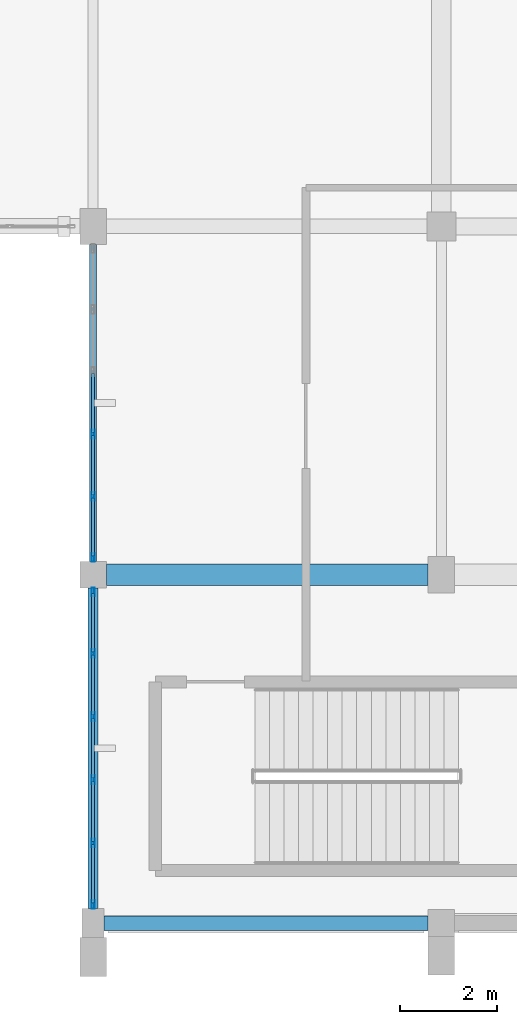
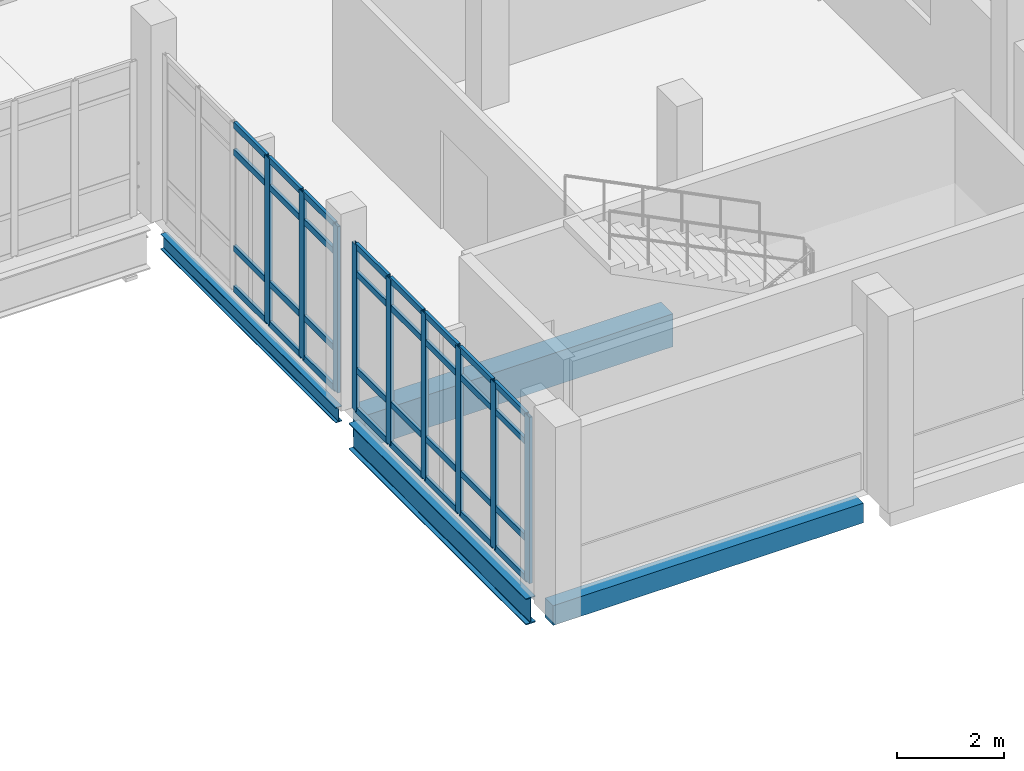
# One storey, part 43 of 124: 41 members, 4 beams, 2 elements without a shape of their own.
"""IFC4 building model written with IfcOpenShell, lengths in metres."""

import ifcopenshell
import ifcopenshell.guid

model = None  # the IFC model being written
_history = None  # IfcOwnerHistory: only IFC2X3 demands one
_inside = {}  # id of a spatial element -> (the spatial element, [elements in it])
_under = {}  # id of a project, library or spatial element -> (it, [spatial elements below it])
_declared = {}  # id of a project -> (the project, [libraries it declares])
_typed = {}  # id of a type object -> (the type object, [elements of that type])
_made_of = {}  # id of a material, layer set ... -> (it, [elements and type objects made of it])


def new_model(schema):
    """Start an empty IFC model of exactly this schema.

    Asked for "IFC4X3", IfcOpenShell would pick the latest addendum, in which some entities
    have other attributes; the version numbers below select the first issue.
    IFC2X3 requires an IfcOwnerHistory on every rooted entity: one is made here for all.
    """
    global model, _history
    if schema == "IFC4X3":
        model = ifcopenshell.file(schema_version=(4, 3, 0, 0))
    else:
        model = ifcopenshell.file(schema=schema)
    _inside.clear()
    _under.clear()
    _declared.clear()
    _typed.clear()
    _made_of.clear()
    _history = None
    if model.schema == "IFC2X3":
        org = make("IfcOrganization", Name="unknown")
        user = make(
            "IfcPersonAndOrganization",
            ThePerson=make("IfcPerson", FamilyName="unknown"),
            TheOrganization=org,
        )
        app = make(
            "IfcApplication",
            ApplicationDeveloper=org,
            Version="unknown",
            ApplicationFullName="unknown",
            ApplicationIdentifier="unknown",
        )
        _history = make(
            "IfcOwnerHistory",
            OwningUser=user,
            OwningApplication=app,
            ChangeAction="ADDED",
            CreationDate=0,
        )
    return model


def make(cls, **values):
    """One entity of the class cls with the attributes given. An attribute that is None is left unset."""
    return model.create_entity(
        cls, **{name: value for name, value in values.items() if value is not None}
    )


def rooted(cls, **values):
    """An entity with a GlobalId (a new one), such as an element, a storey or a relation."""
    return make(cls, GlobalId=ifcopenshell.guid.new(), OwnerHistory=_history, **values)


def si_unit(unit_type, name, prefix=None):
    """IfcSIUnit, for example si_unit("LENGTHUNIT", "METRE", prefix="MILLI")."""
    return make("IfcSIUnit", UnitType=unit_type, Prefix=prefix, Name=name)


def assignment(units):
    """IfcUnitAssignment: the units of a project."""
    return None if units is None else make("IfcUnitAssignment", Units=units)


def point(xyz):
    """IfcCartesianPoint."""
    return None if xyz is None else make("IfcCartesianPoint", Coordinates=xyz)


def direction(xyz):
    """IfcDirection."""
    return None if xyz is None else make("IfcDirection", DirectionRatios=xyz)


def frame(location, z_axis=None, x_axis=None):
    """IfcAxis2Placement3D, a coordinate frame: its origin and axes. An axis left out is left unset."""
    return make(
        "IfcAxis2Placement3D",
        Location=point(location),
        Axis=direction(z_axis),
        RefDirection=direction(x_axis),
    )


def frame_2d(location, x_axis=None):
    """IfcAxis2Placement2D, a coordinate frame in the plane: its origin and x axis."""
    return make(
        "IfcAxis2Placement2D", Location=point(location), RefDirection=direction(x_axis)
    )


def origin():
    """The frame at (0, 0, 0) with its axes left unset."""
    return frame((0.0, 0.0, 0.0))


def origin_2d():
    """The frame at (0, 0) in the plane with its x axis left unset."""
    return frame_2d((0.0, 0.0))


def place(relative_to, where):
    """IfcLocalPlacement: puts the frame where relative to a parent placement (None: the world)."""
    return make(
        "IfcLocalPlacement", PlacementRelTo=relative_to, RelativePlacement=where
    )


def context(
    kind, dimensions, precision=None, world=None, true_north=None, identifier=None
):
    """IfcGeometricRepresentationContext, for example the 3D "Model" context."""
    return make(
        "IfcGeometricRepresentationContext",
        ContextIdentifier=identifier,
        ContextType=kind,
        CoordinateSpaceDimension=dimensions,
        Precision=precision,
        WorldCoordinateSystem=world,
        TrueNorth=true_north,
    )


def subcontext(parent, identifier, kind, view, scale=None):
    """IfcGeometricRepresentationSubContext, for example "Body" below "Model"."""
    return make(
        "IfcGeometricRepresentationSubContext",
        ContextIdentifier=identifier,
        ContextType=kind,
        ParentContext=parent,
        TargetScale=scale,
        TargetView=view,
    )


def project(units=None, contexts=None):
    """IfcProject with its units and contexts."""
    return rooted(
        "IfcProject",
        Name="project",
        RepresentationContexts=contexts,
        UnitsInContext=assignment(units),
    )


def spatial(cls, under=None, at=None, **own):
    """A site, building, storey or space (cls), placed at a placement, below another one or the project."""
    s = rooted(cls, ObjectPlacement=at, **own)
    if under is not None:
        _under.setdefault(under.id(), (under, []))[1].append(s)
    return s


def profile(cls, at=None, kind="AREA", **sizes):
    """A parametric profile (cls). Its sizes go by their IFC names, for example OverallWidth=200.0."""
    return make(cls, ProfileType=kind, Position=at, **sizes)


def rectangle(**sizes):
    """IfcRectangleProfileDef."""
    return profile("IfcRectangleProfileDef", **sizes)


def hollow_rectangle(**sizes):
    """IfcRectangleHollowProfileDef."""
    return profile("IfcRectangleHollowProfileDef", **sizes)


def i_section(**sizes):
    """IfcIShapeProfileDef."""
    return profile("IfcIShapeProfileDef", **sizes)


def extrude(swept, where, along, depth):
    """IfcExtrudedAreaSolid: the profile swept, set in the frame where, extruded along a direction by depth."""
    return make(
        "IfcExtrudedAreaSolid",
        SweptArea=swept,
        Position=where,
        ExtrudedDirection=direction(along),
        Depth=depth,
    )


def shape(context_of_items, identifier, shape_type, items):
    """IfcShapeRepresentation: the items that make up one representation, for example the "Body"."""
    return make(
        "IfcShapeRepresentation",
        ContextOfItems=context_of_items,
        RepresentationIdentifier=identifier,
        RepresentationType=shape_type,
        Items=items,
    )


def material(Name=None, Category=None):
    """IfcMaterial."""
    return make("IfcMaterial", Name=Name, Category=Category)


def material_profile(
    of_material, cross_section, Name=None, Category=None, Priority=None
):
    """IfcMaterialProfile: a cross section and its material."""
    return make(
        "IfcMaterialProfile",
        Name=Name,
        Material=of_material,
        Profile=cross_section,
        Priority=Priority,
        Category=Category,
    )


def profile_set(profiles, Name=None, composite=None):
    """IfcMaterialProfileSet."""
    return make(
        "IfcMaterialProfileSet",
        Name=Name,
        MaterialProfiles=profiles,
        CompositeProfile=composite,
    )


def made_of(thing, what):
    """Note that an element or type object is made of a material, layer set ...; save() writes the relation."""
    if what is not None:
        _made_of.setdefault(what.id(), (what, []))[1].append(thing)
    return thing


def type_object(cls, material=None, **own):
    """A type object (cls), such as IfcWallType, which elements share."""
    return made_of(rooted(cls, **own), material)


def element(
    cls,
    number,
    at=None,
    inside=None,
    cuts=None,
    type_object=None,
    material=None,
    context=None,
    identifier="Body",
    shape_type=None,
    held_by="IfcProductDefinitionShape",
    body=None,
    shapes=None,
    **own,
):
    """One element of the class cls, such as IfcWall. Its Tag is "e" and its number.

    at: its placement. inside: the storey or other place that contains it. cuts: it is an
    opening in that element (IfcRelVoidsElement). A single representation is given by context,
    identifier, shape_type and body (its items); several are given by shapes. held_by: the class
    of the entity that holds the representations. save() writes the other relations.
    """
    e = rooted(cls, Tag="e%d" % number, ObjectPlacement=at, **own)
    if body is not None:
        shapes = [shape(context, identifier, shape_type, body)]
    if shapes is not None:
        e.Representation = make(held_by, Representations=shapes)
    if inside is not None:
        _inside.setdefault(inside.id(), (inside, []))[1].append(e)
    if cuts is not None:
        rooted(
            "IfcRelVoidsElement", RelatingBuildingElement=cuts, RelatedOpeningElement=e
        )
    if type_object is not None:
        _typed.setdefault(type_object.id(), (type_object, []))[1].append(e)
    return made_of(e, material)


def aggregate(whole, parts):
    """IfcRelAggregates: a whole, such as a stair, and the parts it consists of."""
    return rooted("IfcRelAggregates", RelatingObject=whole, RelatedObjects=parts)


def save(model, path):
    """Write the relations noted so far, then the file.

    IfcRelAggregates (storeys below a building ...), IfcRelContainedInSpatialStructure (elements
    in a storey), IfcRelDefinesByType, IfcRelAssociatesMaterial and IfcRelDeclares: one each for
    every whole, place, type object, material and project.
    """
    for whole, parts in _under.values():
        aggregate(whole, parts)
    for where, things in _inside.values():
        rooted(
            "IfcRelContainedInSpatialStructure",
            RelatedElements=things,
            RelatingStructure=where,
        )
    for kind, things in _typed.values():
        rooted("IfcRelDefinesByType", RelatedObjects=things, RelatingType=kind)
    for what, things in _made_of.values():
        rooted("IfcRelAssociatesMaterial", RelatedObjects=things, RelatingMaterial=what)
    for by, libraries in _declared.values():
        rooted("IfcRelDeclares", RelatingContext=by, RelatedDefinitions=libraries)
    model.write(path)


model = new_model("IFC4")

# Units and contexts
model_context = context("Model", 3, precision=1e-05, world=origin(), true_north=direction((0.0, 1.0)))
body_context = subcontext(model_context, "Body", "Model", "MODEL_VIEW")
ifc_project = project(units=[si_unit("LENGTHUNIT", "METRE"), si_unit("AREAUNIT", "SQUARE_METRE"), si_unit("VOLUMEUNIT", "CUBIC_METRE"), si_unit("PLANEANGLEUNIT", "RADIAN"), si_unit("MASSUNIT", "GRAM", prefix="KILO")], contexts=[model_context])

# Site, building, storey
site_placement = place(None, origin())
site = spatial("IfcSite", under=ifc_project, at=site_placement, CompositionType="ELEMENT")
building_placement = place(site_placement, origin())
building = spatial("IfcBuilding", under=site, at=building_placement, Name="Kalluvel Institute of Natural Sciences", CompositionType="ELEMENT")
storey_placement = place(building_placement, frame((0.0, 0.0, 9.89990234375)))
storey = spatial("IfcBuildingStorey", under=building, at=storey_placement, Name="L02", CompositionType="ELEMENT", Elevation=9.89990234375)

# Beams
ifc_material_1 = material(Name="Steel E350 Grade 350", Category="steel")
ifc_material_profile_1 = material_profile(ifc_material_1, i_section(OverallWidth=0.139892578125, OverallDepth=0.35009765625, WebThickness=0.008056640625, FlangeThickness=0.01416015625, FilletRadius=0.013916015625, at=origin_2d()), Name="ISMB 350")
ifc_profile_set_1 = profile_set([ifc_material_profile_1], Name="Steel E350 Grade 350")
beam_type_1 = type_object("IfcBeamType", Name="BM-ISMB350", PredefinedType="BEAM", material=ifc_profile_set_1)
beam_1_placement = place(storey_placement, frame((100.39990234375, 21.47509765625, -0.494873046875), z_axis=(0.0, 1.0, 0.0), x_axis=(-1.0, 0.0, 0.0)))
element("IfcBeam", 1, at=beam_1_placement, inside=storey, type_object=beam_type_1, Name="L02 girder GIR-L02-NS-X1004-Y212", PredefinedType="BEAM", context=body_context, shape_type="SweptSolid", body=[
    extrude(i_section(OverallWidth=0.139892578125, OverallDepth=0.35009765625, WebThickness=0.008056640625, FlangeThickness=0.01416015625, FilletRadius=0.013916015625, at=origin_2d()), origin(), (0.0, 0.0, 1.0), 6.5498046875),
])
ifc_material_profile_2 = material_profile(ifc_material_1, i_section(OverallWidth=0.2099609375, OverallDepth=0.60009765625, WebThickness=0.011962890625, FlangeThickness=0.020751953125, FilletRadius=0.02001953125, at=origin_2d()), Name="ISMB 600")
ifc_profile_set_2 = profile_set([ifc_material_profile_2], Name="Steel E350 Grade 350")
beam_type_2 = type_object("IfcBeamType", Name="BM-ISMB600", PredefinedType="BEAM", material=ifc_profile_set_2)
beam_2_placement = place(storey_placement, frame((100.39990234375, 14.300048828125, -0.619873046875), z_axis=(0.0, 1.0, 0.0), x_axis=(-1.0, 0.0, 0.0)))
element("IfcBeam", 2, at=beam_2_placement, inside=storey, type_object=beam_type_2, Name="L02 girder GIR-L02-NS-X1004-Y140", PredefinedType="BEAM", context=body_context, shape_type="SweptSolid", body=[
    extrude(i_section(OverallWidth=0.2099609375, OverallDepth=0.60009765625, WebThickness=0.011962890625, FlangeThickness=0.020751953125, FilletRadius=0.02001953125, at=origin_2d()), origin(), (0.0, 0.0, 1.0), 6.625),
])
ifc_material_2 = material(Name="Concrete M40", Category="concrete")
ifc_material_profile_3 = material_profile(ifc_material_2, rectangle(XDim=0.449951171875, YDim=0.75, at=origin_2d()), Name="RCB 450x750")
ifc_profile_set_3 = profile_set([ifc_material_profile_3], Name="Concrete M40")
beam_type_3 = type_object("IfcBeamType", Name="BM-RC450x750", PredefinedType="BEAM", material=ifc_profile_set_3)
beam_3_placement = place(storey_placement, frame((100.675048828125, 21.199951171875, -0.69482421875), z_axis=(1.0, 0.0, 0.0), x_axis=(0.0, 1.0, 0.0)))
element("IfcBeam", 3, at=beam_3_placement, inside=storey, type_object=beam_type_3, Name="L02 girder GIR-L02-EW-X1004-Y212", PredefinedType="BEAM", context=body_context, shape_type="SweptSolid", body=[
    extrude(rectangle(XDim=0.449951171875, YDim=0.75, at=origin_2d()), origin(), (0.0, 0.0, 1.0), 6.64990234375),
])

# Curtain wall, members
ifc_material_3 = material(Name="Aluminium AW-6063 T6", Category="aluminium")
curtain_wall_type = type_object("IfcCurtainWallType", Name="CW-SPAV-45", PredefinedType="USERDEFINED", material=ifc_material_3)
curtain_wall_1_placement = place(storey_placement, origin())
curtain_wall_1 = element("IfcCurtainWall", 4, at=curtain_wall_1_placement, inside=storey, type_object=curtain_wall_type, Name="L02 Gothic lancet curtain wall CWA-L02-X1004-Y144", ObjectType="UNITISED LANCET FACADE", PredefinedType="USERDEFINED")
ifc_material_profile_4 = material_profile(ifc_material_3, hollow_rectangle(XDim=0.06494140625, YDim=0.179931640625, WallThickness=0.00439453125, at=origin_2d()), Name="CWM 65x180")
ifc_profile_set_4 = profile_set([ifc_material_profile_4], Name="Aluminium AW-6063 T6")
member_type_1 = type_object("IfcMemberType", Name="CWM-65x180", PredefinedType="MULLION", material=ifc_profile_set_4)
member_1_placement = place(storey_placement, frame((100.39990234375, 14.382568359375, 0.0), z_axis=(0.0, 0.0, 1.0), x_axis=(-1.0, 0.0, 0.0)))
member_1 = element("IfcMember", 5, at=member_1_placement, type_object=member_type_1, Name="CW-10 mullion 1", PredefinedType="MULLION", context=body_context, shape_type="SweptSolid", body=[
    extrude(hollow_rectangle(XDim=0.06494140625, YDim=0.179931640625, WallThickness=0.00439453125, at=origin_2d()), origin(), (0.0, 0.0, 1.0), 3.800048828125),
])
member_2_placement = place(storey_placement, frame((100.39990234375, 15.655029296875, 0.0), z_axis=(0.0, 0.0, 1.0), x_axis=(-1.0, 0.0, 0.0)))
member_2 = element("IfcMember", 6, at=member_2_placement, type_object=member_type_1, Name="CW-10 mullion 2", PredefinedType="MULLION", context=body_context, shape_type="SweptSolid", body=[
    extrude(hollow_rectangle(XDim=0.06494140625, YDim=0.179931640625, WallThickness=0.00439453125, at=origin_2d()), origin(), (0.0, 0.0, 1.0), 3.800048828125),
])
member_3_placement = place(storey_placement, frame((100.39990234375, 16.9599609375, 0.0), z_axis=(0.0, 0.0, 1.0), x_axis=(-1.0, 0.0, 0.0)))
member_3 = element("IfcMember", 7, at=member_3_placement, type_object=member_type_1, Name="CW-10 mullion 3", PredefinedType="MULLION", context=body_context, shape_type="SweptSolid", body=[
    extrude(hollow_rectangle(XDim=0.06494140625, YDim=0.179931640625, WallThickness=0.00439453125, at=origin_2d()), origin(), (0.0, 0.0, 1.0), 3.800048828125),
])
member_4_placement = place(storey_placement, frame((100.39990234375, 18.264892578125, 0.0), z_axis=(0.0, 0.0, 1.0), x_axis=(-1.0, 0.0, 0.0)))
member_4 = element("IfcMember", 8, at=member_4_placement, type_object=member_type_1, Name="CW-10 mullion 4", PredefinedType="MULLION", context=body_context, shape_type="SweptSolid", body=[
    extrude(hollow_rectangle(XDim=0.06494140625, YDim=0.179931640625, WallThickness=0.00439453125, at=origin_2d()), origin(), (0.0, 0.0, 1.0), 3.800048828125),
])
member_5_placement = place(storey_placement, frame((100.39990234375, 19.570068359375, 0.0), z_axis=(0.0, 0.0, 1.0), x_axis=(-1.0, 0.0, 0.0)))
member_5 = element("IfcMember", 9, at=member_5_placement, type_object=member_type_1, Name="CW-10 mullion 5", PredefinedType="MULLION", context=body_context, shape_type="SweptSolid", body=[
    extrude(hollow_rectangle(XDim=0.06494140625, YDim=0.179931640625, WallThickness=0.00439453125, at=origin_2d()), origin(), (0.0, 0.0, 1.0), 3.800048828125),
])
member_6_placement = place(storey_placement, frame((100.39990234375, 20.842529296875, 0.0), z_axis=(0.0, 0.0, 1.0), x_axis=(-1.0, 0.0, 0.0)))
member_6 = element("IfcMember", 10, at=member_6_placement, type_object=member_type_1, Name="CW-10 mullion 6", PredefinedType="MULLION", context=body_context, shape_type="SweptSolid", body=[
    extrude(hollow_rectangle(XDim=0.06494140625, YDim=0.179931640625, WallThickness=0.00439453125, at=origin_2d()), origin(), (0.0, 0.0, 1.0), 3.800048828125),
])

curtain_wall_2_placement = place(storey_placement, origin())
curtain_wall_2 = element("IfcCurtainWall", 11, at=curtain_wall_2_placement, inside=storey, type_object=curtain_wall_type, Name="L02 Gothic lancet curtain wall CWA-L02-X1004-Y215", ObjectType="UNITISED LANCET FACADE", PredefinedType="USERDEFINED")
member_7_placement = place(storey_placement, frame((100.39990234375, 21.5576171875, 0.0), z_axis=(0.0, 0.0, 1.0), x_axis=(-1.0, 0.0, 0.0)))
member_7 = element("IfcMember", 12, at=member_7_placement, type_object=member_type_1, Name="CW-10 mullion 1", PredefinedType="MULLION", context=body_context, shape_type="SweptSolid", body=[
    extrude(hollow_rectangle(XDim=0.06494140625, YDim=0.179931640625, WallThickness=0.00439453125, at=origin_2d()), origin(), (0.0, 0.0, 1.0), 3.800048828125),
])
member_8_placement = place(storey_placement, frame((100.39990234375, 22.81494140625, 0.0), z_axis=(0.0, 0.0, 1.0), x_axis=(-1.0, 0.0, 0.0)))
member_8 = element("IfcMember", 13, at=member_8_placement, type_object=member_type_1, Name="CW-10 mullion 2", PredefinedType="MULLION", context=body_context, shape_type="SweptSolid", body=[
    extrude(hollow_rectangle(XDim=0.06494140625, YDim=0.179931640625, WallThickness=0.00439453125, at=origin_2d()), origin(), (0.0, 0.0, 1.0), 3.800048828125),
])
member_9_placement = place(storey_placement, frame((100.39990234375, 24.10498046875, 0.0), z_axis=(0.0, 0.0, 1.0), x_axis=(-1.0, 0.0, 0.0)))
member_9 = element("IfcMember", 14, at=member_9_placement, type_object=member_type_1, Name="CW-10 mullion 3", PredefinedType="MULLION", context=body_context, shape_type="SweptSolid", body=[
    extrude(hollow_rectangle(XDim=0.06494140625, YDim=0.179931640625, WallThickness=0.00439453125, at=origin_2d()), origin(), (0.0, 0.0, 1.0), 3.800048828125),
])

# Member
ifc_material_profile_5 = material_profile(ifc_material_3, hollow_rectangle(XDim=0.06494140625, YDim=0.139892578125, WallThickness=0.00439453125, at=origin_2d()), Name="CWT 65x140")
ifc_profile_set_5 = profile_set([ifc_material_profile_5], Name="Aluminium AW-6063 T6")
member_type_2 = type_object("IfcMemberType", Name="CWT-65x140", PredefinedType="USERDEFINED", material=ifc_profile_set_5)
member_10_placement = place(storey_placement, frame((100.39990234375, 14.4150390625, 0.03271484375), z_axis=(0.0, 1.0, 0.0), x_axis=(-1.0, 0.0, 0.0)))
member_10 = element("IfcMember", 15, at=member_10_placement, type_object=member_type_2, Name="CW-10 transom 1.1", ObjectType="TRANSOM", PredefinedType="USERDEFINED", context=body_context, shape_type="SweptSolid", body=[
    extrude(hollow_rectangle(XDim=0.06494140625, YDim=0.139892578125, WallThickness=0.00439453125, at=origin_2d()), origin(), (0.0, 0.0, 1.0), 1.20751953125),
])

member_11_placement = place(storey_placement, frame((100.39990234375, 14.4150390625, 0.9501953125), z_axis=(0.0, 1.0, 0.0), x_axis=(-1.0, 0.0, 0.0)))
member_11 = element("IfcMember", 16, at=member_11_placement, type_object=member_type_2, Name="CW-10 transom 1.2", ObjectType="TRANSOM", PredefinedType="USERDEFINED", context=body_context, shape_type="SweptSolid", body=[
    extrude(hollow_rectangle(XDim=0.06494140625, YDim=0.139892578125, WallThickness=0.00439453125, at=origin_2d()), origin(), (0.0, 0.0, 1.0), 1.20751953125),
])

member_12_placement = place(storey_placement, frame((100.39990234375, 14.4150390625, 3.150146484375), z_axis=(0.0, 1.0, 0.0), x_axis=(-1.0, 0.0, 0.0)))
member_12 = element("IfcMember", 17, at=member_12_placement, type_object=member_type_2, Name="CW-10 transom 1.3", ObjectType="TRANSOM", PredefinedType="USERDEFINED", context=body_context, shape_type="SweptSolid", body=[
    extrude(hollow_rectangle(XDim=0.06494140625, YDim=0.139892578125, WallThickness=0.00439453125, at=origin_2d()), origin(), (0.0, 0.0, 1.0), 1.20751953125),
])

member_13_placement = place(storey_placement, frame((100.39990234375, 14.4150390625, 3.767578125), z_axis=(0.0, 1.0, 0.0), x_axis=(-1.0, 0.0, 0.0)))
member_13 = element("IfcMember", 18, at=member_13_placement, type_object=member_type_2, Name="CW-10 transom 1.4", ObjectType="TRANSOM", PredefinedType="USERDEFINED", context=body_context, shape_type="SweptSolid", body=[
    extrude(hollow_rectangle(XDim=0.06494140625, YDim=0.139892578125, WallThickness=0.00439453125, at=origin_2d()), origin(), (0.0, 0.0, 1.0), 1.20751953125),
])

member_14_placement = place(storey_placement, frame((100.39990234375, 15.6875, 0.03271484375), z_axis=(0.0, 1.0, 0.0), x_axis=(-1.0, 0.0, 0.0)))
member_14 = element("IfcMember", 19, at=member_14_placement, type_object=member_type_2, Name="CW-10 transom 2.1", ObjectType="TRANSOM", PredefinedType="USERDEFINED", context=body_context, shape_type="SweptSolid", body=[
    extrude(hollow_rectangle(XDim=0.06494140625, YDim=0.139892578125, WallThickness=0.00439453125, at=origin_2d()), origin(), (0.0, 0.0, 1.0), 1.239990234375),
])

member_15_placement = place(storey_placement, frame((100.39990234375, 15.6875, 0.9501953125), z_axis=(0.0, 1.0, 0.0), x_axis=(-1.0, 0.0, 0.0)))
member_15 = element("IfcMember", 20, at=member_15_placement, type_object=member_type_2, Name="CW-10 transom 2.2", ObjectType="TRANSOM", PredefinedType="USERDEFINED", context=body_context, shape_type="SweptSolid", body=[
    extrude(hollow_rectangle(XDim=0.06494140625, YDim=0.139892578125, WallThickness=0.00439453125, at=origin_2d()), origin(), (0.0, 0.0, 1.0), 1.239990234375),
])

member_16_placement = place(storey_placement, frame((100.39990234375, 15.6875, 3.150146484375), z_axis=(0.0, 1.0, 0.0), x_axis=(-1.0, 0.0, 0.0)))
member_16 = element("IfcMember", 21, at=member_16_placement, type_object=member_type_2, Name="CW-10 transom 2.3", ObjectType="TRANSOM", PredefinedType="USERDEFINED", context=body_context, shape_type="SweptSolid", body=[
    extrude(hollow_rectangle(XDim=0.06494140625, YDim=0.139892578125, WallThickness=0.00439453125, at=origin_2d()), origin(), (0.0, 0.0, 1.0), 1.239990234375),
])

member_17_placement = place(storey_placement, frame((100.39990234375, 15.6875, 3.767578125), z_axis=(0.0, 1.0, 0.0), x_axis=(-1.0, 0.0, 0.0)))
member_17 = element("IfcMember", 22, at=member_17_placement, type_object=member_type_2, Name="CW-10 transom 2.4", ObjectType="TRANSOM", PredefinedType="USERDEFINED", context=body_context, shape_type="SweptSolid", body=[
    extrude(hollow_rectangle(XDim=0.06494140625, YDim=0.139892578125, WallThickness=0.00439453125, at=origin_2d()), origin(), (0.0, 0.0, 1.0), 1.239990234375),
])

member_18_placement = place(storey_placement, frame((100.39990234375, 16.992431640625, 0.03271484375), z_axis=(0.0, 1.0, 0.0), x_axis=(-1.0, 0.0, 0.0)))
member_18 = element("IfcMember", 23, at=member_18_placement, type_object=member_type_2, Name="CW-10 transom 3.1", ObjectType="TRANSOM", PredefinedType="USERDEFINED", context=body_context, shape_type="SweptSolid", body=[
    extrude(hollow_rectangle(XDim=0.06494140625, YDim=0.139892578125, WallThickness=0.00439453125, at=origin_2d()), origin(), (0.0, 0.0, 1.0), 1.239990234375),
])

member_19_placement = place(storey_placement, frame((100.39990234375, 16.992431640625, 0.9501953125), z_axis=(0.0, 1.0, 0.0), x_axis=(-1.0, 0.0, 0.0)))
member_19 = element("IfcMember", 24, at=member_19_placement, type_object=member_type_2, Name="CW-10 transom 3.2", ObjectType="TRANSOM", PredefinedType="USERDEFINED", context=body_context, shape_type="SweptSolid", body=[
    extrude(hollow_rectangle(XDim=0.06494140625, YDim=0.139892578125, WallThickness=0.00439453125, at=origin_2d()), origin(), (0.0, 0.0, 1.0), 1.239990234375),
])

member_20_placement = place(storey_placement, frame((100.39990234375, 16.992431640625, 3.150146484375), z_axis=(0.0, 1.0, 0.0), x_axis=(-1.0, 0.0, 0.0)))
member_20 = element("IfcMember", 25, at=member_20_placement, type_object=member_type_2, Name="CW-10 transom 3.3", ObjectType="TRANSOM", PredefinedType="USERDEFINED", context=body_context, shape_type="SweptSolid", body=[
    extrude(hollow_rectangle(XDim=0.06494140625, YDim=0.139892578125, WallThickness=0.00439453125, at=origin_2d()), origin(), (0.0, 0.0, 1.0), 1.239990234375),
])

member_21_placement = place(storey_placement, frame((100.39990234375, 16.992431640625, 3.767578125), z_axis=(0.0, 1.0, 0.0), x_axis=(-1.0, 0.0, 0.0)))
member_21 = element("IfcMember", 26, at=member_21_placement, type_object=member_type_2, Name="CW-10 transom 3.4", ObjectType="TRANSOM", PredefinedType="USERDEFINED", context=body_context, shape_type="SweptSolid", body=[
    extrude(hollow_rectangle(XDim=0.06494140625, YDim=0.139892578125, WallThickness=0.00439453125, at=origin_2d()), origin(), (0.0, 0.0, 1.0), 1.239990234375),
])

member_22_placement = place(storey_placement, frame((100.39990234375, 18.297607421875, 0.03271484375), z_axis=(0.0, 1.0, 0.0), x_axis=(-1.0, 0.0, 0.0)))
member_22 = element("IfcMember", 27, at=member_22_placement, type_object=member_type_2, Name="CW-10 transom 4.1", ObjectType="TRANSOM", PredefinedType="USERDEFINED", context=body_context, shape_type="SweptSolid", body=[
    extrude(hollow_rectangle(XDim=0.06494140625, YDim=0.139892578125, WallThickness=0.00439453125, at=origin_2d()), origin(), (0.0, 0.0, 1.0), 1.239990234375),
])

member_23_placement = place(storey_placement, frame((100.39990234375, 18.297607421875, 0.9501953125), z_axis=(0.0, 1.0, 0.0), x_axis=(-1.0, 0.0, 0.0)))
member_23 = element("IfcMember", 28, at=member_23_placement, type_object=member_type_2, Name="CW-10 transom 4.2", ObjectType="TRANSOM", PredefinedType="USERDEFINED", context=body_context, shape_type="SweptSolid", body=[
    extrude(hollow_rectangle(XDim=0.06494140625, YDim=0.139892578125, WallThickness=0.00439453125, at=origin_2d()), origin(), (0.0, 0.0, 1.0), 1.239990234375),
])

member_24_placement = place(storey_placement, frame((100.39990234375, 18.297607421875, 3.150146484375), z_axis=(0.0, 1.0, 0.0), x_axis=(-1.0, 0.0, 0.0)))
member_24 = element("IfcMember", 29, at=member_24_placement, type_object=member_type_2, Name="CW-10 transom 4.3", ObjectType="TRANSOM", PredefinedType="USERDEFINED", context=body_context, shape_type="SweptSolid", body=[
    extrude(hollow_rectangle(XDim=0.06494140625, YDim=0.139892578125, WallThickness=0.00439453125, at=origin_2d()), origin(), (0.0, 0.0, 1.0), 1.239990234375),
])

member_25_placement = place(storey_placement, frame((100.39990234375, 18.297607421875, 3.767578125), z_axis=(0.0, 1.0, 0.0), x_axis=(-1.0, 0.0, 0.0)))
member_25 = element("IfcMember", 30, at=member_25_placement, type_object=member_type_2, Name="CW-10 transom 4.4", ObjectType="TRANSOM", PredefinedType="USERDEFINED", context=body_context, shape_type="SweptSolid", body=[
    extrude(hollow_rectangle(XDim=0.06494140625, YDim=0.139892578125, WallThickness=0.00439453125, at=origin_2d()), origin(), (0.0, 0.0, 1.0), 1.239990234375),
])

member_26_placement = place(storey_placement, frame((100.39990234375, 19.6025390625, 0.03271484375), z_axis=(0.0, 1.0, 0.0), x_axis=(-1.0, 0.0, 0.0)))
member_26 = element("IfcMember", 31, at=member_26_placement, type_object=member_type_2, Name="CW-10 transom 5.1", ObjectType="TRANSOM", PredefinedType="USERDEFINED", context=body_context, shape_type="SweptSolid", body=[
    extrude(hollow_rectangle(XDim=0.06494140625, YDim=0.139892578125, WallThickness=0.00439453125, at=origin_2d()), origin(), (0.0, 0.0, 1.0), 1.20751953125),
])

member_27_placement = place(storey_placement, frame((100.39990234375, 19.6025390625, 0.9501953125), z_axis=(0.0, 1.0, 0.0), x_axis=(-1.0, 0.0, 0.0)))
member_27 = element("IfcMember", 32, at=member_27_placement, type_object=member_type_2, Name="CW-10 transom 5.2", ObjectType="TRANSOM", PredefinedType="USERDEFINED", context=body_context, shape_type="SweptSolid", body=[
    extrude(hollow_rectangle(XDim=0.06494140625, YDim=0.139892578125, WallThickness=0.00439453125, at=origin_2d()), origin(), (0.0, 0.0, 1.0), 1.20751953125),
])

member_28_placement = place(storey_placement, frame((100.39990234375, 19.6025390625, 3.150146484375), z_axis=(0.0, 1.0, 0.0), x_axis=(-1.0, 0.0, 0.0)))
member_28 = element("IfcMember", 33, at=member_28_placement, type_object=member_type_2, Name="CW-10 transom 5.3", ObjectType="TRANSOM", PredefinedType="USERDEFINED", context=body_context, shape_type="SweptSolid", body=[
    extrude(hollow_rectangle(XDim=0.06494140625, YDim=0.139892578125, WallThickness=0.00439453125, at=origin_2d()), origin(), (0.0, 0.0, 1.0), 1.20751953125),
])

member_29_placement = place(storey_placement, frame((100.39990234375, 19.6025390625, 3.767578125), z_axis=(0.0, 1.0, 0.0), x_axis=(-1.0, 0.0, 0.0)))
member_29 = element("IfcMember", 34, at=member_29_placement, type_object=member_type_2, Name="CW-10 transom 5.4", ObjectType="TRANSOM", PredefinedType="USERDEFINED", context=body_context, shape_type="SweptSolid", body=[
    extrude(hollow_rectangle(XDim=0.06494140625, YDim=0.139892578125, WallThickness=0.00439453125, at=origin_2d()), origin(), (0.0, 0.0, 1.0), 1.20751953125),
])

aggregate(curtain_wall_1, [member_1, member_2, member_3, member_4, member_5, member_6, member_10, member_11, member_12, member_13, member_14, member_15, member_16, member_17, member_18, member_19, member_20, member_21, member_22, member_23, member_24, member_25, member_26, member_27, member_28, member_29])

member_30_placement = place(storey_placement, frame((100.39990234375, 21.590087890625, 0.03271484375), z_axis=(0.0, 1.0, 0.0), x_axis=(-1.0, 0.0, 0.0)))
member_30 = element("IfcMember", 35, at=member_30_placement, type_object=member_type_2, Name="CW-10 transom 1.1", ObjectType="TRANSOM", PredefinedType="USERDEFINED", context=body_context, shape_type="SweptSolid", body=[
    extrude(hollow_rectangle(XDim=0.06494140625, YDim=0.139892578125, WallThickness=0.00439453125, at=origin_2d()), origin(), (0.0, 0.0, 1.0), 1.1923828125),
])

member_31_placement = place(storey_placement, frame((100.39990234375, 21.590087890625, 0.9501953125), z_axis=(0.0, 1.0, 0.0), x_axis=(-1.0, 0.0, 0.0)))
member_31 = element("IfcMember", 36, at=member_31_placement, type_object=member_type_2, Name="CW-10 transom 1.2", ObjectType="TRANSOM", PredefinedType="USERDEFINED", context=body_context, shape_type="SweptSolid", body=[
    extrude(hollow_rectangle(XDim=0.06494140625, YDim=0.139892578125, WallThickness=0.00439453125, at=origin_2d()), origin(), (0.0, 0.0, 1.0), 1.1923828125),
])

member_32_placement = place(storey_placement, frame((100.39990234375, 21.590087890625, 3.150146484375), z_axis=(0.0, 1.0, 0.0), x_axis=(-1.0, 0.0, 0.0)))
member_32 = element("IfcMember", 37, at=member_32_placement, type_object=member_type_2, Name="CW-10 transom 1.3", ObjectType="TRANSOM", PredefinedType="USERDEFINED", context=body_context, shape_type="SweptSolid", body=[
    extrude(hollow_rectangle(XDim=0.06494140625, YDim=0.139892578125, WallThickness=0.00439453125, at=origin_2d()), origin(), (0.0, 0.0, 1.0), 1.1923828125),
])

member_33_placement = place(storey_placement, frame((100.39990234375, 21.590087890625, 3.767578125), z_axis=(0.0, 1.0, 0.0), x_axis=(-1.0, 0.0, 0.0)))
member_33 = element("IfcMember", 38, at=member_33_placement, type_object=member_type_2, Name="CW-10 transom 1.4", ObjectType="TRANSOM", PredefinedType="USERDEFINED", context=body_context, shape_type="SweptSolid", body=[
    extrude(hollow_rectangle(XDim=0.06494140625, YDim=0.139892578125, WallThickness=0.00439453125, at=origin_2d()), origin(), (0.0, 0.0, 1.0), 1.1923828125),
])

member_34_placement = place(storey_placement, frame((100.39990234375, 22.847412109375, 0.03271484375), z_axis=(0.0, 1.0, 0.0), x_axis=(-1.0, 0.0, 0.0)))
member_34 = element("IfcMember", 39, at=member_34_placement, type_object=member_type_2, Name="CW-10 transom 2.1", ObjectType="TRANSOM", PredefinedType="USERDEFINED", context=body_context, shape_type="SweptSolid", body=[
    extrude(hollow_rectangle(XDim=0.06494140625, YDim=0.139892578125, WallThickness=0.00439453125, at=origin_2d()), origin(), (0.0, 0.0, 1.0), 1.22509765625),
])

member_35_placement = place(storey_placement, frame((100.39990234375, 22.847412109375, 0.9501953125), z_axis=(0.0, 1.0, 0.0), x_axis=(-1.0, 0.0, 0.0)))
member_35 = element("IfcMember", 40, at=member_35_placement, type_object=member_type_2, Name="CW-10 transom 2.2", ObjectType="TRANSOM", PredefinedType="USERDEFINED", context=body_context, shape_type="SweptSolid", body=[
    extrude(hollow_rectangle(XDim=0.06494140625, YDim=0.139892578125, WallThickness=0.00439453125, at=origin_2d()), origin(), (0.0, 0.0, 1.0), 1.22509765625),
])

member_36_placement = place(storey_placement, frame((100.39990234375, 22.847412109375, 3.150146484375), z_axis=(0.0, 1.0, 0.0), x_axis=(-1.0, 0.0, 0.0)))
member_36 = element("IfcMember", 41, at=member_36_placement, type_object=member_type_2, Name="CW-10 transom 2.3", ObjectType="TRANSOM", PredefinedType="USERDEFINED", context=body_context, shape_type="SweptSolid", body=[
    extrude(hollow_rectangle(XDim=0.06494140625, YDim=0.139892578125, WallThickness=0.00439453125, at=origin_2d()), origin(), (0.0, 0.0, 1.0), 1.22509765625),
])

member_37_placement = place(storey_placement, frame((100.39990234375, 22.847412109375, 3.767578125), z_axis=(0.0, 1.0, 0.0), x_axis=(-1.0, 0.0, 0.0)))
member_37 = element("IfcMember", 42, at=member_37_placement, type_object=member_type_2, Name="CW-10 transom 2.4", ObjectType="TRANSOM", PredefinedType="USERDEFINED", context=body_context, shape_type="SweptSolid", body=[
    extrude(hollow_rectangle(XDim=0.06494140625, YDim=0.139892578125, WallThickness=0.00439453125, at=origin_2d()), origin(), (0.0, 0.0, 1.0), 1.22509765625),
])

member_38_placement = place(storey_placement, frame((100.39990234375, 24.137451171875, 0.03271484375), z_axis=(0.0, 1.0, 0.0), x_axis=(-1.0, 0.0, 0.0)))
member_38 = element("IfcMember", 43, at=member_38_placement, type_object=member_type_2, Name="CW-10 transom 3.1", ObjectType="TRANSOM", PredefinedType="USERDEFINED", context=body_context, shape_type="SweptSolid", body=[
    extrude(hollow_rectangle(XDim=0.06494140625, YDim=0.139892578125, WallThickness=0.00439453125, at=origin_2d()), origin(), (0.0, 0.0, 1.0), 1.22509765625),
])

member_39_placement = place(storey_placement, frame((100.39990234375, 24.137451171875, 0.9501953125), z_axis=(0.0, 1.0, 0.0), x_axis=(-1.0, 0.0, 0.0)))
member_39 = element("IfcMember", 44, at=member_39_placement, type_object=member_type_2, Name="CW-10 transom 3.2", ObjectType="TRANSOM", PredefinedType="USERDEFINED", context=body_context, shape_type="SweptSolid", body=[
    extrude(hollow_rectangle(XDim=0.06494140625, YDim=0.139892578125, WallThickness=0.00439453125, at=origin_2d()), origin(), (0.0, 0.0, 1.0), 1.22509765625),
])

member_40_placement = place(storey_placement, frame((100.39990234375, 24.137451171875, 3.150146484375), z_axis=(0.0, 1.0, 0.0), x_axis=(-1.0, 0.0, 0.0)))
member_40 = element("IfcMember", 45, at=member_40_placement, type_object=member_type_2, Name="CW-10 transom 3.3", ObjectType="TRANSOM", PredefinedType="USERDEFINED", context=body_context, shape_type="SweptSolid", body=[
    extrude(hollow_rectangle(XDim=0.06494140625, YDim=0.139892578125, WallThickness=0.00439453125, at=origin_2d()), origin(), (0.0, 0.0, 1.0), 1.22509765625),
])

member_41_placement = place(storey_placement, frame((100.39990234375, 24.137451171875, 3.767578125), z_axis=(0.0, 1.0, 0.0), x_axis=(-1.0, 0.0, 0.0)))
member_41 = element("IfcMember", 46, at=member_41_placement, type_object=member_type_2, Name="CW-10 transom 3.4", ObjectType="TRANSOM", PredefinedType="USERDEFINED", context=body_context, shape_type="SweptSolid", body=[
    extrude(hollow_rectangle(XDim=0.06494140625, YDim=0.139892578125, WallThickness=0.00439453125, at=origin_2d()), origin(), (0.0, 0.0, 1.0), 1.22509765625),
])

aggregate(curtain_wall_2, [member_7, member_8, member_9, member_30, member_31, member_32, member_33, member_34, member_35, member_36, member_37, member_38, member_39, member_40, member_41])

# Beam
ifc_material_profile_6 = material_profile(ifc_material_2, rectangle(XDim=0.300048828125, YDim=0.449951171875, at=origin_2d()), Name="RCB 300x450")
ifc_profile_set_6 = profile_set([ifc_material_profile_6], Name="Concrete M40")
beam_type_4 = type_object("IfcBeamType", Name="SP-RC300x450", PredefinedType="SPANDREL", material=ifc_profile_set_6)
beam_4_placement = place(storey_placement, frame((100.625, 14.0, -0.544921875), z_axis=(1.0, 0.0, 0.0), x_axis=(0.0, 1.0, 0.0)))
element("IfcBeam", 47, at=beam_4_placement, inside=storey, type_object=beam_type_4, Name="L02 girder GIR-L02-EW-X1004-Y140", PredefinedType="SPANDREL", context=body_context, shape_type="SweptSolid", body=[
    extrude(rectangle(XDim=0.300048828125, YDim=0.449951171875, at=origin_2d()), origin(), (0.0, 0.0, 1.0), 6.699951171875),
])

save(model, "model.ifc")
